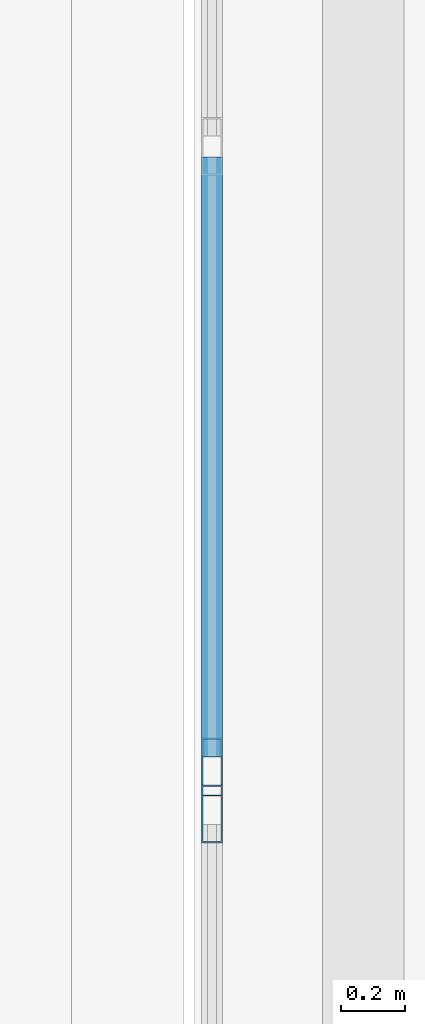
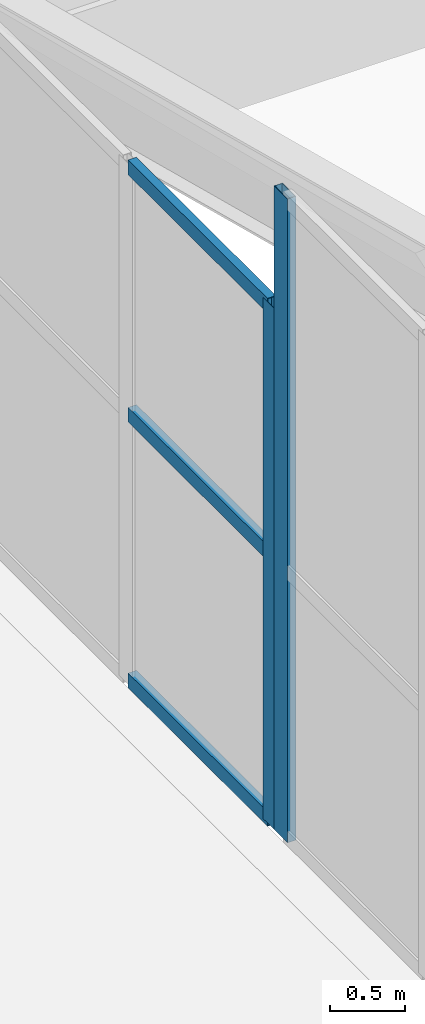
# One storey, part 73 of 184: 5 members, 2 elements without a shape of their own.
"""IFC4 building model written with IfcOpenShell, lengths in metres."""

from ifc_helpers import new_model, si_unit, direction, frame, origin, origin_2d, place, context, subcontext, project, spatial, hollow_rectangle, extrude, material, material_profile, profile_set, type_object, element, aggregate, save


model = new_model("IFC4")

# Units and contexts
model_context = context("Model", 3, precision=1e-05, world=origin(), true_north=direction((0.0, 1.0)))
body_context = subcontext(model_context, "Body", "Model", "MODEL_VIEW")
ifc_project = project(units=[si_unit("LENGTHUNIT", "METRE"), si_unit("AREAUNIT", "SQUARE_METRE"), si_unit("VOLUMEUNIT", "CUBIC_METRE"), si_unit("PLANEANGLEUNIT", "RADIAN"), si_unit("MASSUNIT", "GRAM", prefix="KILO")], contexts=[model_context])

# Site, building, storey
site_placement = place(None, origin())
site = spatial("IfcSite", under=ifc_project, at=site_placement, CompositionType="ELEMENT")
building_placement = place(site_placement, origin())
building = spatial("IfcBuilding", under=site, at=building_placement, Name="Selatvlak General Hospital", CompositionType="ELEMENT")
storey_placement = place(building_placement, frame((0.0, 0.0, 15.0)))
storey = spatial("IfcBuildingStorey", under=building, at=storey_placement, Name="L03", CompositionType="ELEMENT", Elevation=15.0)

# Curtain wall, member
ifc_material_1 = material(Name="Solar-control Low-E double glazing", Category="glass")
curtain_wall_type = type_object("IfcCurtainWallType", Name="CW-CW-05", PredefinedType="USERDEFINED", material=ifc_material_1)
curtain_wall_1_placement = place(storey_placement, origin())
curtain_wall_1 = element("IfcCurtainWall", 1, at=curtain_wall_1_placement, inside=storey, type_object=curtain_wall_type, Name="Glazed facade curtain wall CW-L03-0727", ObjectType="STICK GLAZING WALL", PredefinedType="USERDEFINED")
ifc_material_2 = material(Name="Dark anodised aluminium mullion", Category="aluminium")
ifc_material_profile_1 = material_profile(ifc_material_2, hollow_rectangle(XDim=0.06494140625, YDim=0.179931640625, WallThickness=0.00439453125, at=origin_2d()), Name="AL-MUL 65x180x4.5")
ifc_profile_set_1 = profile_set([ifc_material_profile_1], Name="Dark anodised aluminium mullion")
member_type_1 = type_object("IfcMemberType", Name="CWM-02", PredefinedType="MULLION", material=ifc_profile_set_1)
member_1_placement = place(storey_placement, frame((22.8798828125, 75.952392578125, 0.0), z_axis=(0.0, 0.0, 1.0), x_axis=(-1.0, 0.0, 0.0)))
member_1 = element("IfcMember", 2, at=member_1_placement, type_object=member_type_1, Name="CW-05 mullion 3", PredefinedType="MULLION", context=body_context, shape_type="SweptSolid", body=[
    extrude(hollow_rectangle(XDim=0.06494140625, YDim=0.179931640625, WallThickness=0.00439453125, at=origin_2d()), origin(), (0.0, 0.0, 1.0), 5.25),
])
aggregate(curtain_wall_1, [member_1])

# Curtain wall, members
curtain_wall_2_placement = place(storey_placement, origin())
curtain_wall_2 = element("IfcCurtainWall", 3, at=curtain_wall_2_placement, inside=storey, type_object=curtain_wall_type, Name="Glazed facade curtain wall CW-L03-0728", ObjectType="STICK GLAZING WALL", PredefinedType="USERDEFINED")
member_2_placement = place(storey_placement, frame((22.8798828125, 76.097412109375, 0.0), z_axis=(0.0, 0.0, 1.0), x_axis=(-1.0, 0.0, 0.0)))
member_2 = element("IfcMember", 4, at=member_2_placement, type_object=member_type_1, Name="CW-05 mullion 1", PredefinedType="MULLION", context=body_context, shape_type="SweptSolid", body=[
    extrude(hollow_rectangle(XDim=0.06494140625, YDim=0.179931640625, WallThickness=0.00439453125, at=origin_2d()), origin(), (0.0, 0.0, 1.0), 4.25),
])
ifc_material_profile_2 = material_profile(ifc_material_2, hollow_rectangle(XDim=0.06494140625, YDim=0.1201171875, WallThickness=0.00390625, at=origin_2d()), Name="AL-TRN 65x120x4")
ifc_profile_set_2 = profile_set([ifc_material_profile_2], Name="Dark anodised aluminium mullion")
member_type_2 = type_object("IfcMemberType", Name="CWT-01", PredefinedType="USERDEFINED", material=ifc_profile_set_2)
member_3_placement = place(storey_placement, frame((22.8798828125, 76.1298828125, 0.032470703125), z_axis=(0.0, 1.0, 0.0), x_axis=(-1.0, 0.0, 0.0)))
member_3 = element("IfcMember", 5, at=member_3_placement, type_object=member_type_2, Name="CW-05 transom 1.1", ObjectType="TRANSOM", PredefinedType="USERDEFINED", context=body_context, shape_type="SweptSolid", body=[
    extrude(hollow_rectangle(XDim=0.06494140625, YDim=0.1201171875, WallThickness=0.00390625, at=origin_2d()), origin(), (0.0, 0.0, 1.0), 1.862548828125),
])
member_4_placement = place(storey_placement, frame((22.8798828125, 76.1298828125, 2.199951171875), z_axis=(0.0, 1.0, 0.0), x_axis=(-1.0, 0.0, 0.0)))
member_4 = element("IfcMember", 6, at=member_4_placement, type_object=member_type_2, Name="CW-05 transom 1.2", ObjectType="TRANSOM", PredefinedType="USERDEFINED", context=body_context, shape_type="SweptSolid", body=[
    extrude(hollow_rectangle(XDim=0.06494140625, YDim=0.1201171875, WallThickness=0.00390625, at=origin_2d()), origin(), (0.0, 0.0, 1.0), 1.862548828125),
])
member_5_placement = place(storey_placement, frame((22.8798828125, 76.1298828125, 4.217529296875), z_axis=(0.0, 1.0, 0.0), x_axis=(-1.0, 0.0, 0.0)))
member_5 = element("IfcMember", 7, at=member_5_placement, type_object=member_type_2, Name="CW-05 transom 1.3", ObjectType="TRANSOM", PredefinedType="USERDEFINED", context=body_context, shape_type="SweptSolid", body=[
    extrude(hollow_rectangle(XDim=0.06494140625, YDim=0.1201171875, WallThickness=0.00390625, at=origin_2d()), origin(), (0.0, 0.0, 1.0), 1.862548828125),
])
aggregate(curtain_wall_2, [member_2, member_3, member_4, member_5])

save(model, "model.ifc")
